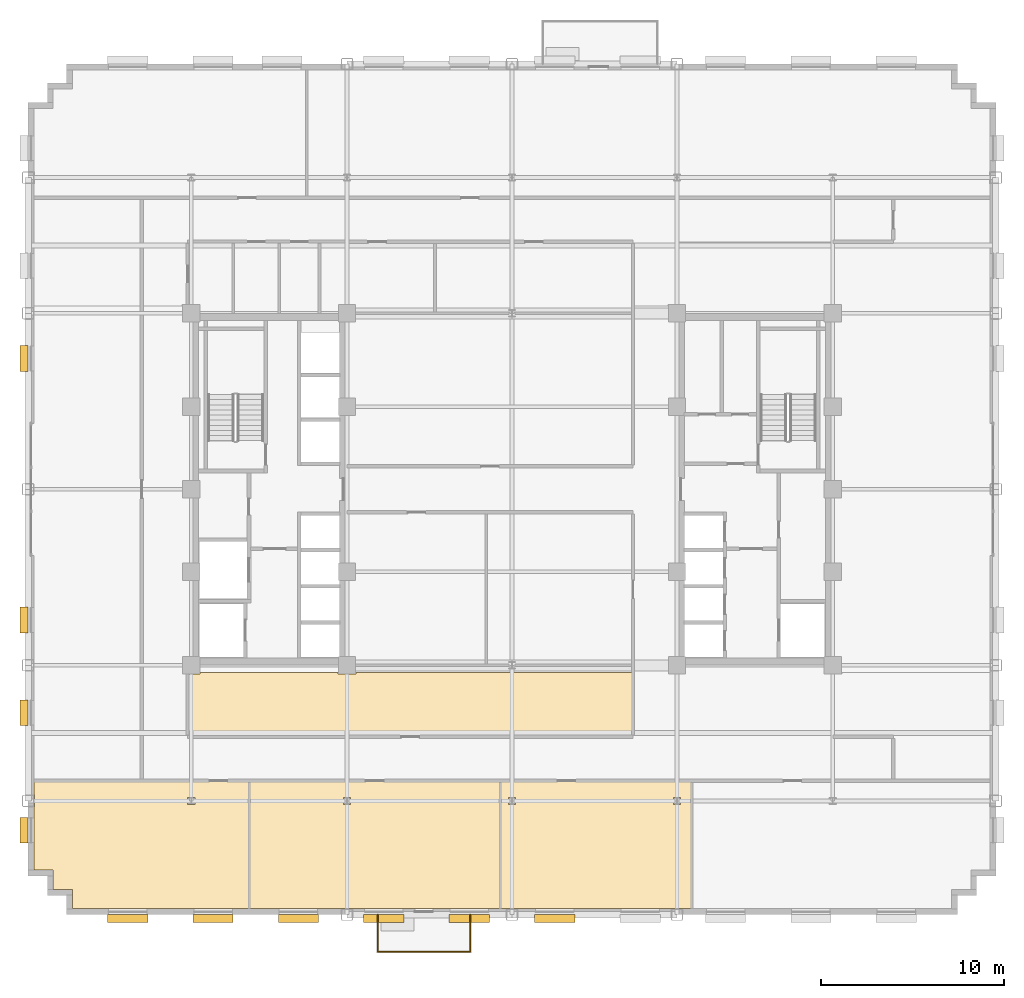
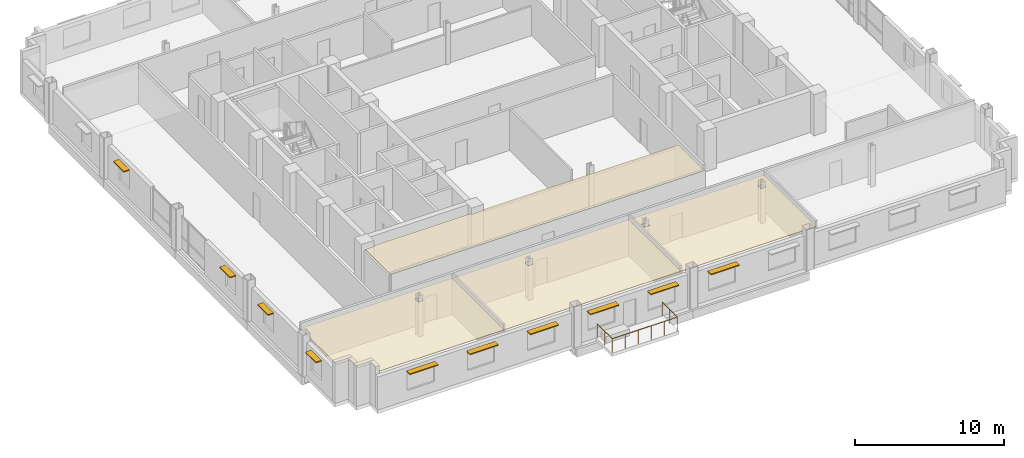
# One storey, part 12 of 15: 10 shading devices, 4 coverings, 1 railing.
"""IFC4 building model written with IfcOpenShell, lengths in metres."""

from ifc_helpers import new_model, si_unit, direction, frame, origin, origin_2d, place, context, subcontext, project, spatial, polyline, rectangle, circle, outline, extrude, source, transform, mapped, material, layer, layer_set, type_object, type_shapes, element, save


model = new_model("IFC4")

# Units and contexts
model_context = context("Model", 3, precision=1e-05, world=origin(), true_north=direction((0.0, 1.0)))
body_context = subcontext(model_context, "Body", "Model", "MODEL_VIEW")
ifc_project = project(units=[si_unit("LENGTHUNIT", "METRE"), si_unit("AREAUNIT", "SQUARE_METRE"), si_unit("VOLUMEUNIT", "CUBIC_METRE"), si_unit("PLANEANGLEUNIT", "RADIAN"), si_unit("MASSUNIT", "GRAM", prefix="KILO")], contexts=[model_context])

# Site, building, storey
site_placement = place(None, origin())
site = spatial("IfcSite", under=ifc_project, at=site_placement, CompositionType="ELEMENT")
building_placement = place(site_placement, origin())
building = spatial("IfcBuilding", under=site, at=building_placement, Name="Nuvemarco Arch Tower", CompositionType="ELEMENT")
storey_placement = place(building_placement, frame((0.0, 0.0, 123.85009765625)))
storey = spatial("IfcBuildingStorey", under=building, at=storey_placement, Name="L32", CompositionType="ELEMENT", Elevation=123.85009765625)

# Coverings
ifc_material_1 = material(Name="Mineral acoustic ceiling tile")
ifc_layer = layer(ifc_material_1, 0.0400390625, Name="COV-ACOUSTIC-CLG")
ifc_layer_set = layer_set([ifc_layer], Name="Mineral acoustic ceiling tile")
covering_type = type_object("IfcCoveringType", Name="COV-ACOUSTIC-CLG", PredefinedType="CEILING", material=ifc_layer_set)
covering_1_placement = place(storey_placement, frame((0.0, 0.0, 2.849853515625)))
element("IfcCovering", 1, at=covering_1_placement, inside=storey, type_object=covering_type, Name="L32 suspended acoustic ceiling 6", PredefinedType="CEILING", context=body_context, shape_type="SweptSolid", body=[
    extrude(outline(polyline([(-8.659912109375, -22.8798828125), (-8.659912109375, -22.860107421875), (-9.340087890625, -22.860107421875), (-9.340087890625, -22.8798828125), (-14.330078125, -22.8798828125), (-14.330078125, -15.89990234375), (-0.64990234375, -15.89990234375), (-0.64990234375, -22.8798828125), (-8.659912109375, -22.8798828125)]), holes=[polyline([(-8.804931640625, -17.195068359375), (-8.804931640625, -16.804931640625), (-9.195068359375, -16.804931640625), (-9.195068359375, -17.195068359375), (-8.804931640625, -17.195068359375)])]), origin(), (0.0, 0.0, 1.0), 0.0400390625),
])
covering_2_placement = place(storey_placement, frame((0.0, 0.0, 2.849853515625)))
element("IfcCovering", 2, at=covering_2_placement, inside=storey, type_object=covering_type, Name="L32 suspended acoustic ceiling 7", PredefinedType="CEILING", context=body_context, shape_type="SweptSolid", body=[
    extrude(outline(polyline([(-9.489990234375, -10.090087890625), (-8.510009765625, -10.090087890625), (-8.510009765625, -10.0), (6.60009765625, -10.0), (6.60009765625, -13.5), (-17.699951171875, -13.5), (-17.699951171875, -10.090087890625), (-17.010009765625, -10.090087890625), (-17.010009765625, -10.0), (-9.489990234375, -10.0), (-9.489990234375, -10.090087890625)])), origin(), (0.0, 0.0, 1.0), 0.0400390625),
])
covering_3_placement = place(storey_placement, frame((0.0, 0.0, 2.849853515625)))
element("IfcCovering", 3, at=covering_3_placement, inside=storey, type_object=covering_type, Name="L32 suspended acoustic ceiling 8", PredefinedType="CEILING", context=body_context, shape_type="SweptSolid", body=[
    extrude(outline(polyline([(-26.080078125, -20.780029296875), (-26.080078125, -17.340087890625), (-26.06005859375, -17.340087890625), (-26.06005859375, -16.659912109375), (-26.080078125, -16.659912109375), (-26.080078125, -15.89990234375), (-20.199951171875, -15.89990234375), (-17.699951171875, -15.89990234375), (-14.330078125, -15.89990234375), (-14.330078125, -22.8798828125), (-23.97998046875, -22.8798828125), (-23.97998046875, -21.830078125), (-25.030029296875, -21.830078125), (-25.030029296875, -20.780029296875), (-26.080078125, -20.780029296875)]), holes=[polyline([(-17.304931640625, -16.804931640625), (-17.695068359375, -16.804931640625), (-17.695068359375, -17.195068359375), (-17.304931640625, -17.195068359375), (-17.304931640625, -16.804931640625)])]), origin(), (0.0, 0.0, 1.0), 0.0400390625),
])
covering_4_placement = place(storey_placement, frame((0.0, 0.0, 2.849853515625)))
element("IfcCovering", 4, at=covering_4_placement, inside=storey, type_object=covering_type, Name="L32 suspended acoustic ceiling 9", PredefinedType="CEILING", context=body_context, shape_type="SweptSolid", body=[
    extrude(outline(polyline([(9.81005859375, -15.89990234375), (9.81005859375, -22.8798828125), (9.340087890625, -22.8798828125), (9.340087890625, -22.860107421875), (8.659912109375, -22.860107421875), (8.659912109375, -22.8798828125), (0.340087890625, -22.8798828125), (0.340087890625, -22.860107421875), (-0.340087890625, -22.860107421875), (-0.340087890625, -22.8798828125), (-0.64990234375, -22.8798828125), (-0.64990234375, -15.89990234375), (6.60009765625, -15.89990234375), (9.0, -15.89990234375), (9.81005859375, -15.89990234375)]), holes=[polyline([(0.195068359375, -17.195068359375), (0.195068359375, -16.804931640625), (-0.195068359375, -16.804931640625), (-0.195068359375, -17.195068359375), (0.195068359375, -17.195068359375)]), polyline([(9.195068359375, -17.195068359375), (9.195068359375, -16.804931640625), (8.804931640625, -16.804931640625), (8.804931640625, -17.195068359375), (9.195068359375, -17.195068359375)])]), origin(), (0.0, 0.0, 1.0), 0.0400390625),
])

# Railing
ifc_material_2 = material(Name="Dark anodised balustrade steel S355", Category="steel")
railing_type = type_object("IfcRailingType", Name="RL-TERR-GUARD", PredefinedType="BALUSTRADE", material=ifc_material_2)
railing_placement = place(storey_placement, frame((-7.320068359375, -23.199951171875, 0.0)))
element("IfcRailing", 5, at=railing_placement, inside=storey, type_object=railing_type, Name="L32 tree balcony perimeter balustrade guard", PredefinedType="BALUSTRADE", context=body_context, shape_type="SweptSolid", body=[
    extrude(circle(Radius=0.02392578125, at=origin_2d()), frame((0.0, 0.0, 1.1259765625), z_axis=(0.0, -1.0, 0.0), x_axis=(1.0, 0.0, 0.0)), (0.0, 0.0, 1.0), 2.02001953125),
    extrude(circle(Radius=0.02392578125, at=origin_2d()), frame((0.0, -2.02001953125, 1.1259765625), z_axis=(1.0, 0.0, 0.0), x_axis=(0.0, 1.0, 0.0)), (0.0, 0.0, 1.0), 5.0400390625),
    extrude(circle(Radius=0.02392578125, at=origin_2d()), frame((5.0400390625, -2.02001953125, 1.1259765625), z_axis=(0.0, 1.0, 0.0), x_axis=(-1.0, 0.0, 0.0)), (0.0, 0.0, 1.0), 2.02001953125),
    extrude(circle(Radius=0.02099609375, at=origin_2d()), origin(), (0.0, 0.0, 1.0), 1.101806640625),
    extrude(circle(Radius=0.02099609375, at=origin_2d()), frame((0.0, -1.010009765625, 0.0)), (0.0, 0.0, 1.0), 1.101806640625),
    extrude(circle(Radius=0.02099609375, at=origin_2d()), frame((0.0, -2.02001953125, 0.0)), (0.0, 0.0, 1.0), 1.101806640625),
    extrude(circle(Radius=0.02099609375, at=origin_2d()), frame((1.008056640625, -2.02001953125, 0.0)), (0.0, 0.0, 1.0), 1.101806640625),
    extrude(circle(Radius=0.02099609375, at=origin_2d()), frame((2.01611328125, -2.02001953125, 0.0)), (0.0, 0.0, 1.0), 1.101806640625),
    extrude(circle(Radius=0.02099609375, at=origin_2d()), frame((3.02392578125, -2.02001953125, 0.0)), (0.0, 0.0, 1.0), 1.101806640625),
    extrude(circle(Radius=0.02099609375, at=origin_2d()), frame((4.031982421875, -2.02001953125, 0.0)), (0.0, 0.0, 1.0), 1.101806640625),
    extrude(circle(Radius=0.02099609375, at=origin_2d()), frame((5.0400390625, -2.02001953125, 0.0)), (0.0, 0.0, 1.0), 1.101806640625),
    extrude(circle(Radius=0.02099609375, at=origin_2d()), frame((5.0400390625, -1.010009765625, 0.0)), (0.0, 0.0, 1.0), 1.101806640625),
    extrude(circle(Radius=0.02099609375, at=origin_2d()), frame((5.0400390625, 0.0, 0.0)), (0.0, 0.0, 1.0), 1.101806640625),
])

# Shading devices
ifc_material_3 = material(Name="Anodised aluminium 6063-T6", Category="aluminium")
shading_device_type_1 = type_object("IfcShadingDeviceType", Name="SHD-BRISE-SOLEIL", PredefinedType="USERDEFINED", material=ifc_material_3)
shared_shape_1 = source(origin(), body_context, "Body", "SweptSolid", [
    extrude(rectangle(XDim=2.199951171875, YDim=0.449951171875, at=origin_2d()), origin(), (0.0, 0.0, 1.0), 0.080078125),
])
type_shapes(shading_device_type_1, [shared_shape_1])
for number, where, z_axis, x_axis, name in (
    (6, (-20.969970703125, -23.4150390625, 2.36474609375), (0.0, 0.0, 1.0), (1.0, 0.0, 0.0), "L32 horizontal brise-soleil sunshade"),
    (7, (-16.31005859375, -23.4150390625, 2.36474609375), (0.0, 0.0, 1.0), (1.0, 0.0, 0.0), "L32 horizontal brise-soleil sunshade"),
    (8, (-11.64990234375, -23.4150390625, 2.36474609375), (0.0, 0.0, 1.0), (1.0, 0.0, 0.0), "L32 horizontal brise-soleil sunshade"),
    (9, (-6.989990234375, -23.4150390625, 2.36474609375), (0.0, 0.0, 1.0), (1.0, 0.0, 0.0), "L32 horizontal brise-soleil sunshade"),
    (10, (-2.330078125, -23.4150390625, 2.36474609375), (0.0, 0.0, 1.0), (1.0, 0.0, 0.0), "L32 horizontal brise-soleil sunshade"),
    (11, (2.330078125, -23.4150390625, 2.36474609375), (0.0, 0.0, 1.0), (1.0, 0.0, 0.0), "L32 horizontal brise-soleil sunshade"),
):
    element("IfcShadingDevice", number, at=place(storey_placement, frame(where, z_axis=z_axis, x_axis=x_axis)), inside=storey, type_object=shading_device_type_1, Name=name, ObjectType="SUNSHADE", PredefinedType="USERDEFINED", context=body_context, shape_type="MappedRepresentation", body=[
        mapped(shared_shape_1, transform((0.0, 0.0, 0.0), scale=1.0)),
    ])
shading_device_type_2 = type_object("IfcShadingDeviceType", Name="SHD-BRISE-NARROW", PredefinedType="USERDEFINED", material=ifc_material_3)
shared_shape_2 = source(origin(), body_context, "Body", "SweptSolid", [
    extrude(rectangle(XDim=1.39990234375, YDim=0.449951171875, at=origin_2d()), origin(), (0.0, 0.0, 1.0), 0.080078125),
])
type_shapes(shading_device_type_2, [shared_shape_2])
for number, where, z_axis, x_axis, name in (
    (12, (-26.614990234375, -18.603271484375, 2.36474609375), (0.0, 0.0, 1.0), (0.0, 1.0, 0.0), "L32 horizontal brise-soleil sunshade"),
    (13, (-26.614990234375, -12.19189453125, 2.36474609375), (0.0, 0.0, 1.0), (0.0, 1.0, 0.0), "L32 horizontal brise-soleil sunshade"),
    (14, (-26.614990234375, -7.130615234375, 2.36474609375), (0.0, 0.0, 1.0), (0.0, 1.0, 0.0), "L32 horizontal brise-soleil sunshade"),
    (15, (-26.614990234375, 7.130615234375, 2.36474609375), (0.0, 0.0, 1.0), (0.0, 1.0, 0.0), "L32 horizontal brise-soleil sunshade"),
):
    element("IfcShadingDevice", number, at=place(storey_placement, frame(where, z_axis=z_axis, x_axis=x_axis)), inside=storey, type_object=shading_device_type_2, Name=name, ObjectType="SUNSHADE", PredefinedType="USERDEFINED", context=body_context, shape_type="MappedRepresentation", body=[
        mapped(shared_shape_2, transform((0.0, 0.0, 0.0), scale=1.0)),
    ])

save(model, "model.ifc")
